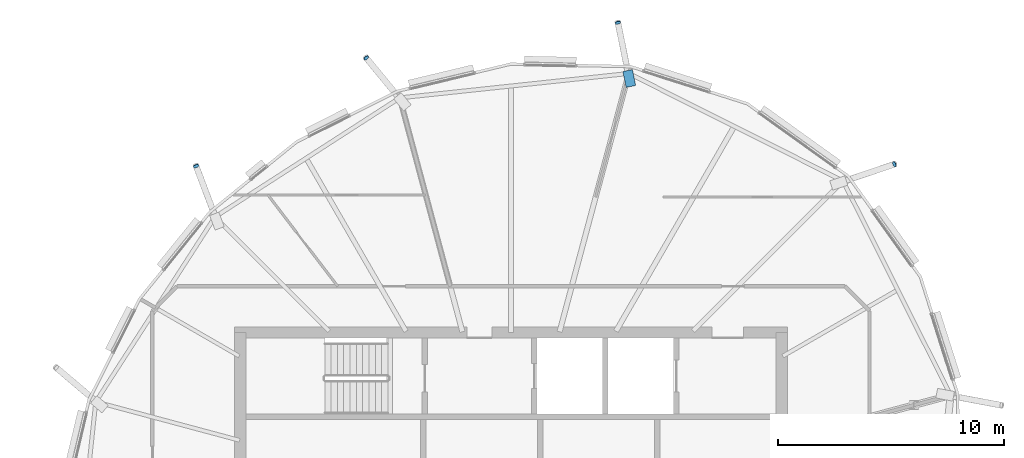
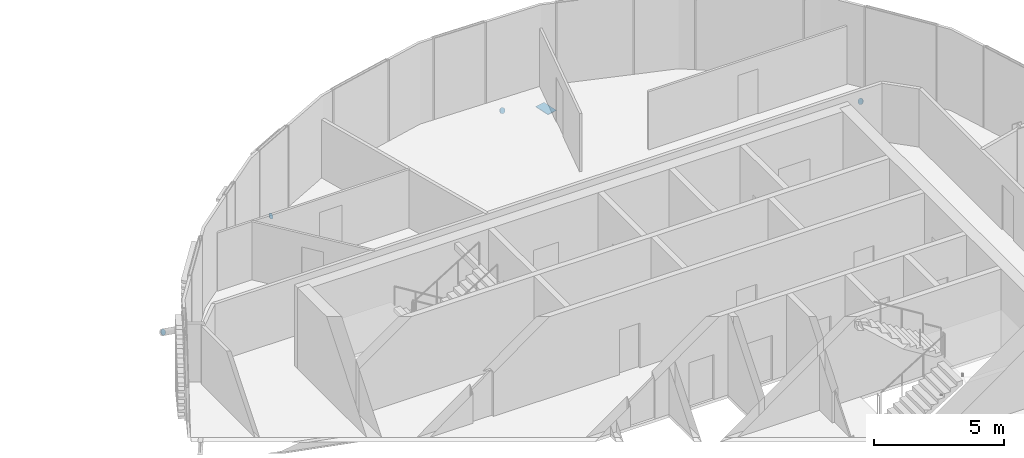
# One storey, part 33 of 41: 5 discrete accessories.
"""IFC4 building model written with IfcOpenShell, lengths in metres."""

import ifcopenshell
import ifcopenshell.guid

model = None  # the IFC model being written
_history = None  # IfcOwnerHistory: only IFC2X3 demands one
_inside = {}  # id of a spatial element -> (the spatial element, [elements in it])
_under = {}  # id of a project, library or spatial element -> (it, [spatial elements below it])
_declared = {}  # id of a project -> (the project, [libraries it declares])
_typed = {}  # id of a type object -> (the type object, [elements of that type])
_made_of = {}  # id of a material, layer set ... -> (it, [elements and type objects made of it])


def new_model(schema):
    """Start an empty IFC model of exactly this schema.

    Asked for "IFC4X3", IfcOpenShell would pick the latest addendum, in which some entities
    have other attributes; the version numbers below select the first issue.
    IFC2X3 requires an IfcOwnerHistory on every rooted entity: one is made here for all.
    """
    global model, _history
    if schema == "IFC4X3":
        model = ifcopenshell.file(schema_version=(4, 3, 0, 0))
    else:
        model = ifcopenshell.file(schema=schema)
    _inside.clear()
    _under.clear()
    _declared.clear()
    _typed.clear()
    _made_of.clear()
    _history = None
    if model.schema == "IFC2X3":
        org = make("IfcOrganization", Name="unknown")
        user = make(
            "IfcPersonAndOrganization",
            ThePerson=make("IfcPerson", FamilyName="unknown"),
            TheOrganization=org,
        )
        app = make(
            "IfcApplication",
            ApplicationDeveloper=org,
            Version="unknown",
            ApplicationFullName="unknown",
            ApplicationIdentifier="unknown",
        )
        _history = make(
            "IfcOwnerHistory",
            OwningUser=user,
            OwningApplication=app,
            ChangeAction="ADDED",
            CreationDate=0,
        )
    return model


def make(cls, **values):
    """One entity of the class cls with the attributes given. An attribute that is None is left unset."""
    return model.create_entity(
        cls, **{name: value for name, value in values.items() if value is not None}
    )


def rooted(cls, **values):
    """An entity with a GlobalId (a new one), such as an element, a storey or a relation."""
    return make(cls, GlobalId=ifcopenshell.guid.new(), OwnerHistory=_history, **values)


def si_unit(unit_type, name, prefix=None):
    """IfcSIUnit, for example si_unit("LENGTHUNIT", "METRE", prefix="MILLI")."""
    return make("IfcSIUnit", UnitType=unit_type, Prefix=prefix, Name=name)


def assignment(units):
    """IfcUnitAssignment: the units of a project."""
    return None if units is None else make("IfcUnitAssignment", Units=units)


def point(xyz):
    """IfcCartesianPoint."""
    return None if xyz is None else make("IfcCartesianPoint", Coordinates=xyz)


def direction(xyz):
    """IfcDirection."""
    return None if xyz is None else make("IfcDirection", DirectionRatios=xyz)


def frame(location, z_axis=None, x_axis=None):
    """IfcAxis2Placement3D, a coordinate frame: its origin and axes. An axis left out is left unset."""
    return make(
        "IfcAxis2Placement3D",
        Location=point(location),
        Axis=direction(z_axis),
        RefDirection=direction(x_axis),
    )


def frame_2d(location, x_axis=None):
    """IfcAxis2Placement2D, a coordinate frame in the plane: its origin and x axis."""
    return make(
        "IfcAxis2Placement2D", Location=point(location), RefDirection=direction(x_axis)
    )


def origin():
    """The frame at (0, 0, 0) with its axes left unset."""
    return frame((0.0, 0.0, 0.0))


def origin_2d():
    """The frame at (0, 0) in the plane with its x axis left unset."""
    return frame_2d((0.0, 0.0))


def place(relative_to, where):
    """IfcLocalPlacement: puts the frame where relative to a parent placement (None: the world)."""
    return make(
        "IfcLocalPlacement", PlacementRelTo=relative_to, RelativePlacement=where
    )


def context(
    kind, dimensions, precision=None, world=None, true_north=None, identifier=None
):
    """IfcGeometricRepresentationContext, for example the 3D "Model" context."""
    return make(
        "IfcGeometricRepresentationContext",
        ContextIdentifier=identifier,
        ContextType=kind,
        CoordinateSpaceDimension=dimensions,
        Precision=precision,
        WorldCoordinateSystem=world,
        TrueNorth=true_north,
    )


def subcontext(parent, identifier, kind, view, scale=None):
    """IfcGeometricRepresentationSubContext, for example "Body" below "Model"."""
    return make(
        "IfcGeometricRepresentationSubContext",
        ContextIdentifier=identifier,
        ContextType=kind,
        ParentContext=parent,
        TargetScale=scale,
        TargetView=view,
    )


def project(units=None, contexts=None):
    """IfcProject with its units and contexts."""
    return rooted(
        "IfcProject",
        Name="project",
        RepresentationContexts=contexts,
        UnitsInContext=assignment(units),
    )


def spatial(cls, under=None, at=None, **own):
    """A site, building, storey or space (cls), placed at a placement, below another one or the project."""
    s = rooted(cls, ObjectPlacement=at, **own)
    if under is not None:
        _under.setdefault(under.id(), (under, []))[1].append(s)
    return s


def polyline(points):
    """IfcPolyline through the points."""
    return make("IfcPolyline", Points=[point(p) for p in points])


def profile(cls, at=None, kind="AREA", **sizes):
    """A parametric profile (cls). Its sizes go by their IFC names, for example OverallWidth=200.0."""
    return make(cls, ProfileType=kind, Position=at, **sizes)


def rectangle(**sizes):
    """IfcRectangleProfileDef."""
    return profile("IfcRectangleProfileDef", **sizes)


def circle(**sizes):
    """IfcCircleProfileDef."""
    return profile("IfcCircleProfileDef", **sizes)


def outline(outer, holes=None, kind="AREA"):
    """IfcArbitraryClosedProfileDef: a profile drawn as a closed curve; with holes, ...WithVoids."""
    if holes is None:
        return make("IfcArbitraryClosedProfileDef", ProfileType=kind, OuterCurve=outer)
    return make(
        "IfcArbitraryProfileDefWithVoids",
        ProfileType=kind,
        OuterCurve=outer,
        InnerCurves=holes,
    )


def extrude(swept, where, along, depth):
    """IfcExtrudedAreaSolid: the profile swept, set in the frame where, extruded along a direction by depth."""
    return make(
        "IfcExtrudedAreaSolid",
        SweptArea=swept,
        Position=where,
        ExtrudedDirection=direction(along),
        Depth=depth,
    )


def shape(context_of_items, identifier, shape_type, items):
    """IfcShapeRepresentation: the items that make up one representation, for example the "Body"."""
    return make(
        "IfcShapeRepresentation",
        ContextOfItems=context_of_items,
        RepresentationIdentifier=identifier,
        RepresentationType=shape_type,
        Items=items,
    )


def material(Name=None, Category=None):
    """IfcMaterial."""
    return make("IfcMaterial", Name=Name, Category=Category)


def material_profile(
    of_material, cross_section, Name=None, Category=None, Priority=None
):
    """IfcMaterialProfile: a cross section and its material."""
    return make(
        "IfcMaterialProfile",
        Name=Name,
        Material=of_material,
        Profile=cross_section,
        Priority=Priority,
        Category=Category,
    )


def profile_set(profiles, Name=None, composite=None):
    """IfcMaterialProfileSet."""
    return make(
        "IfcMaterialProfileSet",
        Name=Name,
        MaterialProfiles=profiles,
        CompositeProfile=composite,
    )


def made_of(thing, what):
    """Note that an element or type object is made of a material, layer set ...; save() writes the relation."""
    if what is not None:
        _made_of.setdefault(what.id(), (what, []))[1].append(thing)
    return thing


def type_object(cls, material=None, **own):
    """A type object (cls), such as IfcWallType, which elements share."""
    return made_of(rooted(cls, **own), material)


def element(
    cls,
    number,
    at=None,
    inside=None,
    cuts=None,
    type_object=None,
    material=None,
    context=None,
    identifier="Body",
    shape_type=None,
    held_by="IfcProductDefinitionShape",
    body=None,
    shapes=None,
    **own,
):
    """One element of the class cls, such as IfcWall. Its Tag is "e" and its number.

    at: its placement. inside: the storey or other place that contains it. cuts: it is an
    opening in that element (IfcRelVoidsElement). A single representation is given by context,
    identifier, shape_type and body (its items); several are given by shapes. held_by: the class
    of the entity that holds the representations. save() writes the other relations.
    """
    e = rooted(cls, Tag="e%d" % number, ObjectPlacement=at, **own)
    if body is not None:
        shapes = [shape(context, identifier, shape_type, body)]
    if shapes is not None:
        e.Representation = make(held_by, Representations=shapes)
    if inside is not None:
        _inside.setdefault(inside.id(), (inside, []))[1].append(e)
    if cuts is not None:
        rooted(
            "IfcRelVoidsElement", RelatingBuildingElement=cuts, RelatedOpeningElement=e
        )
    if type_object is not None:
        _typed.setdefault(type_object.id(), (type_object, []))[1].append(e)
    return made_of(e, material)


def aggregate(whole, parts):
    """IfcRelAggregates: a whole, such as a stair, and the parts it consists of."""
    return rooted("IfcRelAggregates", RelatingObject=whole, RelatedObjects=parts)


def save(model, path):
    """Write the relations noted so far, then the file.

    IfcRelAggregates (storeys below a building ...), IfcRelContainedInSpatialStructure (elements
    in a storey), IfcRelDefinesByType, IfcRelAssociatesMaterial and IfcRelDeclares: one each for
    every whole, place, type object, material and project.
    """
    for whole, parts in _under.values():
        aggregate(whole, parts)
    for where, things in _inside.values():
        rooted(
            "IfcRelContainedInSpatialStructure",
            RelatedElements=things,
            RelatingStructure=where,
        )
    for kind, things in _typed.values():
        rooted("IfcRelDefinesByType", RelatedObjects=things, RelatingType=kind)
    for what, things in _made_of.values():
        rooted("IfcRelAssociatesMaterial", RelatedObjects=things, RelatingMaterial=what)
    for by, libraries in _declared.values():
        rooted("IfcRelDeclares", RelatingContext=by, RelatedDefinitions=libraries)
    model.write(path)


model = new_model("IFC4")

# Units and contexts
model_context = context("Model", 3, precision=1e-05, world=origin(), true_north=direction((0.0, 1.0)))
body_context = subcontext(model_context, "Body", "Model", "MODEL_VIEW")
ifc_project = project(units=[si_unit("LENGTHUNIT", "METRE"), si_unit("AREAUNIT", "SQUARE_METRE"), si_unit("VOLUMEUNIT", "CUBIC_METRE"), si_unit("PLANEANGLEUNIT", "RADIAN"), si_unit("MASSUNIT", "GRAM", prefix="KILO")], contexts=[model_context])

# Site, building, storey
site_placement = place(None, origin())
site = spatial("IfcSite", under=ifc_project, at=site_placement, CompositionType="ELEMENT")
building_placement = place(site_placement, origin())
building = spatial("IfcBuilding", under=site, at=building_placement, Name="Rimbun Link Towers", CompositionType="ELEMENT")
storey_placement = place(building_placement, frame((0.0, 0.0, 210.5)))
storey = spatial("IfcBuildingStorey", under=building, at=storey_placement, Name="L51", CompositionType="ELEMENT", Elevation=210.5)

# Discrete accessories
ifc_material_1 = material(Name="Steel S355J2H", Category="steel")
ifc_material_profile_1 = material_profile(ifc_material_1, circle(Radius=0.1240234375, at=origin_2d()), Name="PL D248")
ifc_profile_set_1 = profile_set([ifc_material_profile_1], Name="Steel S355J2H")
discrete_accessory_type_1 = type_object("IfcDiscreteAccessoryType", Name="Link foot sealing plate D248X20", PredefinedType="BRACKET", material=ifc_profile_set_1)
for number, where, z_axis, x_axis, name in (
    (1, (48.73046875, 15.453369140625, -2.221435546875), (0.821359726564, 0.269700208722, -0.502623116255), (-0.311970444134, 0.950091807136, 0.0), "Link foot sealing plate T2 L51 00"),
    (2, (36.489501953125, 21.718994140625, -2.163818359375), (-0.183997147657, 0.858653355735, -0.478392583909), (-0.977802414077, -0.209529088731, 0.0), "Link foot sealing plate T2 L51 02"),
):
    element("IfcDiscreteAccessory", number, at=place(storey_placement, frame(where, z_axis=z_axis, x_axis=x_axis)), inside=storey, type_object=discrete_accessory_type_1, Name=name, PredefinedType="BRACKET", context=body_context, shape_type="SweptSolid", body=[
        extrude(circle(Radius=0.1240234375, at=origin_2d()), origin(), (0.0, 0.0, 1.0), 0.02001953125),
    ])
discrete_accessory_1_placement = place(storey_placement, frame((25.341552734375, 20.1591796875, -2.250244140625), z_axis=(-0.545144266955, 0.666287437389, -0.508801315824), x_axis=(-0.773957299203, -0.633237790257, 0.0)))
element("IfcDiscreteAccessory", 3, at=discrete_accessory_1_placement, inside=storey, type_object=discrete_accessory_type_1, Name="Link foot sealing plate T2 L51 04", PredefinedType="BRACKET", context=body_context, shape_type="SweptSolid", body=[
    extrude(circle(Radius=0.1240234375, at=origin_2d()), origin(), (0.0, 0.0, 1.0), 0.020263671875),
])
discrete_accessory_2_placement = place(storey_placement, frame((17.80322265625, 15.367919921875, -2.148193359375), z_axis=(-0.305446406249, 0.794160656248, -0.525367818749), x_axis=(-0.933345606203, -0.358979079309, 0.0)))
element("IfcDiscreteAccessory", 4, at=discrete_accessory_2_placement, inside=storey, type_object=discrete_accessory_type_1, Name="Link foot sealing plate T2 L51 06", PredefinedType="BRACKET", context=body_context, shape_type="SweptSolid", body=[
    extrude(circle(Radius=0.1240234375, at=origin_2d()), origin(), (0.0, 0.0, 1.0), 0.02001953125),
])
ifc_material_2 = material(Name="Steel S355J2H", Category="steel")
ifc_material_profile_2 = material_profile(ifc_material_2, rectangle(XDim=0.43310546875, YDim=0.43310546875, at=origin_2d()), Name="PL 433x433")
ifc_profile_set_2 = profile_set([ifc_material_profile_2], Name="Steel S355J2H")
discrete_accessory_type_2 = type_object("IfcDiscreteAccessoryType", Name="Link head end plate 433X20", PredefinedType="BRACKET", material=ifc_profile_set_2)
discrete_accessory_3_placement = place(storey_placement, frame((0.0, 0.0, -0.7626953125)))
element("IfcDiscreteAccessory", 5, at=discrete_accessory_3_placement, inside=storey, type_object=discrete_accessory_type_2, Name="Link head end plate T2 L51 02", PredefinedType="BRACKET", context=body_context, shape_type="SweptSolid", body=[
    extrude(outline(polyline([(37.275146484375, 18.94384765625), (37.13134765625, 19.650390625), (36.70703125, 19.564208984375), (36.850830078125, 18.857421875), (37.275146484375, 18.94384765625)])), origin(), (0.0, 0.0, 1.0), 0.02001953125),
])

save(model, "model.ifc")
